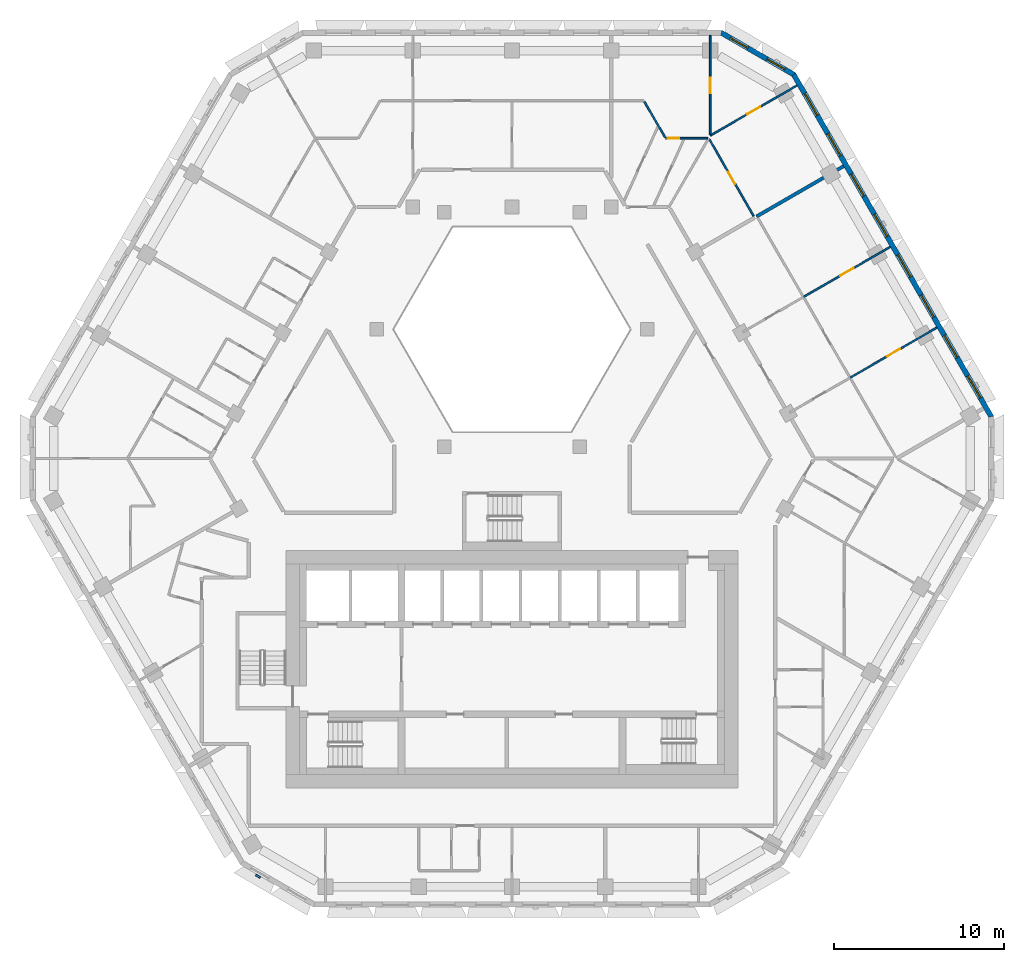
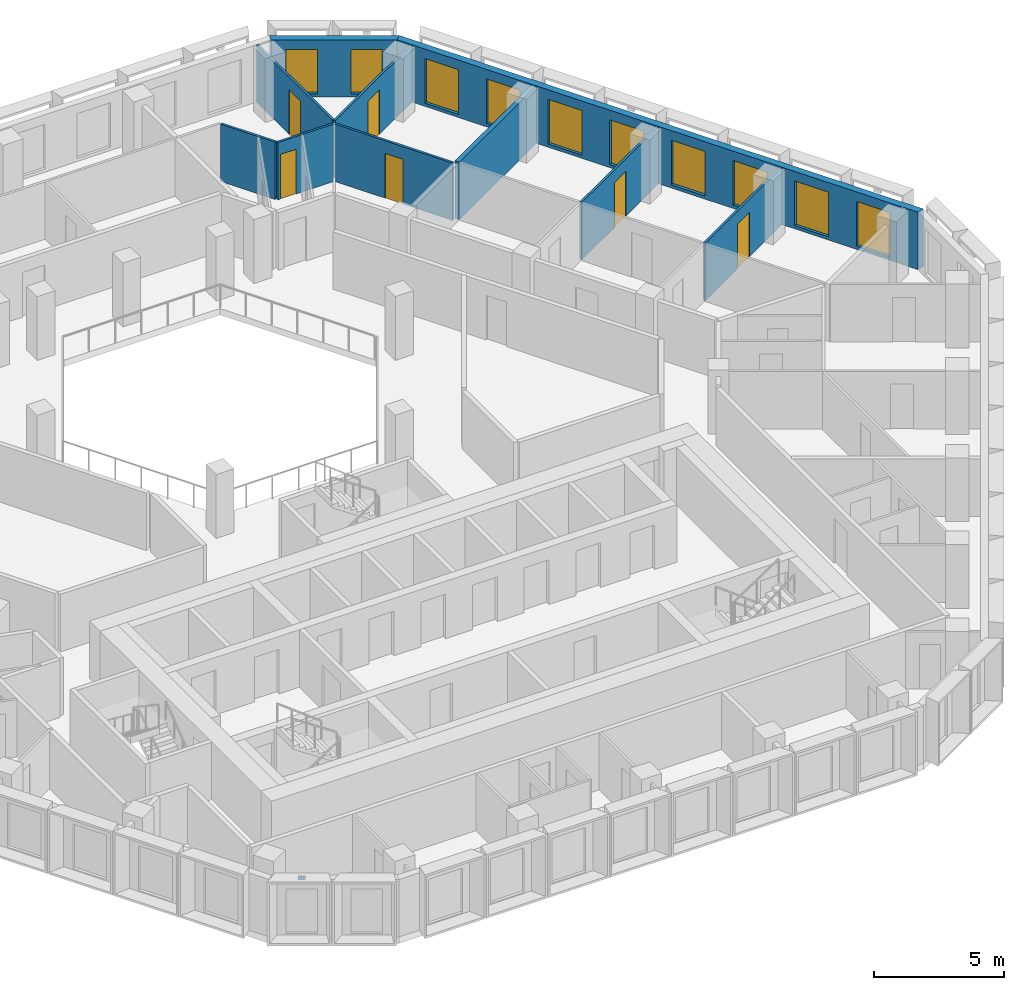
# One storey, part 9 of 17: 10 walls, 10 windows, 6 doors, 1 discrete accessory, 16 openings.
"""IFC4 building model written with IfcOpenShell, lengths in metres."""

from ifc_helpers import new_model, si_unit, direction, frame, frame_2d, origin, place, context, subcontext, project, spatial, polyline, rectangle, outline, extrude, source, transform, mapped, material, layer, layer_set, type_object, type_shapes, element, fill, save


model = new_model("IFC4")

# Units and contexts
model_context = context("Model", 3, precision=1e-05, world=origin(), true_north=direction((0.0, 1.0)))
body_context = subcontext(model_context, "Body", "Model", "MODEL_VIEW")
ifc_project = project(units=[si_unit("LENGTHUNIT", "METRE"), si_unit("AREAUNIT", "SQUARE_METRE"), si_unit("VOLUMEUNIT", "CUBIC_METRE"), si_unit("PLANEANGLEUNIT", "RADIAN"), si_unit("MASSUNIT", "GRAM", prefix="KILO")], contexts=[model_context])

# Site, building, storey
site_placement = place(None, origin())
site = spatial("IfcSite", under=ifc_project, at=site_placement, CompositionType="ELEMENT")
building_placement = place(site_placement, origin())
building = spatial("IfcBuilding", under=site, at=building_placement, Name="Beryl Residences", CompositionType="ELEMENT")
storey_placement = place(building_placement, frame((0.0, 0.0, 120.60009765625)))
storey = spatial("IfcBuildingStorey", under=building, at=storey_placement, Name="L36", CompositionType="ELEMENT", Elevation=120.60009765625)

# Wall, openings, windows
ifc_material_1 = material(Name="Composite metal panel with mineral wool insulation")
ifc_layer_1 = layer(ifc_material_1, 0.300048828125)
ifc_layer_set_1 = layer_set([ifc_layer_1], Name="ES1 pale metal composite panel wall 300 mm")
wall_type_1 = type_object("IfcWallType", Name="ES1 pale metal composite panel wall 300 mm", PredefinedType="SOLIDWALL", material=ifc_layer_set_1)
wall_1_placement = place(storey_placement, frame((28.218017578125, 2.824951171875, 0.0), z_axis=(0.0, 0.0, 1.0), x_axis=(-0.500020536353, 0.866013546791, 0.0)))
wall_1 = element("IfcWall", 1, at=wall_1_placement, inside=storey, type_object=wall_type_1, Name="ES1 external wall L36 NE", PredefinedType="SOLIDWALL", context=body_context, shape_type="SweptSolid", body=[
    extrude(outline(polyline([(0.0, -0.14990234375), (23.3251953125, -0.14990234375), (23.244873046875, 0.14990234375), (0.080322265625, 0.14990234375), (0.0, -0.14990234375)])), origin(), (0.0, 0.0, 1.0), 2.699951171875),
])
opening_1_placement = place(wall_1_placement, frame((1.31396484375, 0.0, 0.14990234375)))
opening_1 = element("IfcOpeningElement", 2, at=opening_1_placement, cuts=wall_1, Name="Opening W1", PredefinedType="OPENING", context=body_context, shape_type="SweptSolid", body=[
    extrude(rectangle(XDim=1.5, YDim=2.10009765625, at=frame_2d((0.75, 1.050048828125))), frame((0.0, 0.159912109375, 0.0), z_axis=(0.0, -1.0, 0.0), x_axis=(1.0, 0.0, 0.0)), (0.0, 0.0, 1.0), 0.320068359375),
])
opening_2_placement = place(wall_1_placement, frame((4.055908203125, 0.0, 0.14990234375)))
opening_2 = element("IfcOpeningElement", 3, at=opening_2_placement, cuts=wall_1, Name="Opening W1", PredefinedType="OPENING", context=body_context, shape_type="SweptSolid", body=[
    extrude(rectangle(XDim=1.5, YDim=2.10009765625, at=frame_2d((0.75, 1.050048828125))), frame((0.0, 0.159912109375, 0.0), z_axis=(0.0, -1.0, 0.0), x_axis=(1.0, 0.0, 0.0)), (0.0, 0.0, 1.0), 0.320068359375),
])
opening_3_placement = place(wall_1_placement, frame((6.798095703125, 0.0, 0.14990234375)))
opening_3 = element("IfcOpeningElement", 4, at=opening_3_placement, cuts=wall_1, Name="Opening W1", PredefinedType="OPENING", context=body_context, shape_type="SweptSolid", body=[
    extrude(rectangle(XDim=1.5, YDim=2.10009765625, at=frame_2d((0.75, 1.050048828125))), frame((0.0, 0.159912109375, 0.0), z_axis=(0.0, -1.0, 0.0), x_axis=(1.0, 0.0, 0.0)), (0.0, 0.0, 1.0), 0.320068359375),
])
opening_4_placement = place(wall_1_placement, frame((9.541015625, 0.0, 0.14990234375)))
opening_4 = element("IfcOpeningElement", 5, at=opening_4_placement, cuts=wall_1, Name="Opening W1", PredefinedType="OPENING", context=body_context, shape_type="SweptSolid", body=[
    extrude(rectangle(XDim=1.5, YDim=2.10009765625, at=frame_2d((0.75, 1.050048828125))), frame((0.0, 0.159912109375, 0.0), z_axis=(0.0, -1.0, 0.0), x_axis=(1.0, 0.0, 0.0)), (0.0, 0.0, 1.0), 0.320068359375),
])
opening_5_placement = place(wall_1_placement, frame((12.283935546875, 0.0, 0.14990234375)))
opening_5 = element("IfcOpeningElement", 6, at=opening_5_placement, cuts=wall_1, Name="Opening W1", PredefinedType="OPENING", context=body_context, shape_type="SweptSolid", body=[
    extrude(rectangle(XDim=1.5, YDim=2.10009765625, at=frame_2d((0.75, 1.050048828125))), frame((0.0, 0.159912109375, 0.0), z_axis=(0.0, -1.0, 0.0), x_axis=(1.0, 0.0, 0.0)), (0.0, 0.0, 1.0), 0.320068359375),
])
opening_6_placement = place(wall_1_placement, frame((15.027099609375, 0.0, 0.14990234375)))
opening_6 = element("IfcOpeningElement", 7, at=opening_6_placement, cuts=wall_1, Name="Opening W1", PredefinedType="OPENING", context=body_context, shape_type="SweptSolid", body=[
    extrude(rectangle(XDim=1.5, YDim=2.10009765625, at=frame_2d((0.75, 1.050048828125))), frame((0.0, 0.159912109375, 0.0), z_axis=(0.0, -1.0, 0.0), x_axis=(1.0, 0.0, 0.0)), (0.0, 0.0, 1.0), 0.320068359375),
])
opening_7_placement = place(wall_1_placement, frame((17.76904296875, 0.0, 0.14990234375)))
opening_7 = element("IfcOpeningElement", 8, at=opening_7_placement, cuts=wall_1, Name="Opening W1", PredefinedType="OPENING", context=body_context, shape_type="SweptSolid", body=[
    extrude(rectangle(XDim=1.5, YDim=2.10009765625, at=frame_2d((0.75, 1.050048828125))), frame((0.0, 0.159912109375, 0.0), z_axis=(0.0, -1.0, 0.0), x_axis=(1.0, 0.0, 0.0)), (0.0, 0.0, 1.0), 0.320068359375),
])
opening_8_placement = place(wall_1_placement, frame((20.510986328125, 0.0, 0.14990234375)))
opening_8 = element("IfcOpeningElement", 9, at=opening_8_placement, cuts=wall_1, Name="Opening W1", PredefinedType="OPENING", context=body_context, shape_type="SweptSolid", body=[
    extrude(rectangle(XDim=1.5, YDim=2.10009765625, at=frame_2d((0.75, 1.050048828125))), frame((0.0, 0.159912109375, 0.0), z_axis=(0.0, -1.0, 0.0), x_axis=(1.0, 0.0, 0.0)), (0.0, 0.0, 1.0), 0.320068359375),
])
ifc_material_2 = material(Name="Aluminium and clear glass", Category="aluminium")
window_type_1 = type_object("IfcWindowType", Name="W1 cell window 1500 x 2100 mm", PartitioningType="SINGLE_PANEL", PredefinedType="WINDOW", material=ifc_material_2)
window_1_placement = place(opening_1_placement, origin())
window_1 = element("IfcWindow", 10, at=window_1_placement, inside=storey, type_object=window_type_1, Name="W1 window L36 NE 1", OverallHeight=2.10009765625, OverallWidth=1.5, PartitioningType="SINGLE_PANEL", PredefinedType="WINDOW", context=body_context, shape_type="SweptSolid", body=[
    extrude(rectangle(XDim=1.5, YDim=2.10009765625, at=frame_2d((0.75, 1.050048828125))), frame((0.0, 0.030029296875, 0.0), z_axis=(0.0, -1.0, 0.0), x_axis=(1.0, 0.0, 0.0)), (0.0, 0.0, 1.0), 0.06005859375),
])
fill(opening_1, window_1)
window_2_placement = place(opening_2_placement, origin())
window_2 = element("IfcWindow", 11, at=window_2_placement, inside=storey, type_object=window_type_1, Name="W1 window L36 NE 2", OverallHeight=2.10009765625, OverallWidth=1.5, PartitioningType="SINGLE_PANEL", PredefinedType="WINDOW", context=body_context, shape_type="SweptSolid", body=[
    extrude(rectangle(XDim=1.5, YDim=2.10009765625, at=frame_2d((0.75, 1.050048828125))), frame((0.0, 0.030029296875, 0.0), z_axis=(0.0, -1.0, 0.0), x_axis=(1.0, 0.0, 0.0)), (0.0, 0.0, 1.0), 0.06005859375),
])
fill(opening_2, window_2)
window_3_placement = place(opening_3_placement, origin())
window_3 = element("IfcWindow", 12, at=window_3_placement, inside=storey, type_object=window_type_1, Name="W1 window L36 NE 3", OverallHeight=2.10009765625, OverallWidth=1.5, PartitioningType="SINGLE_PANEL", PredefinedType="WINDOW", context=body_context, shape_type="SweptSolid", body=[
    extrude(rectangle(XDim=1.5, YDim=2.10009765625, at=frame_2d((0.75, 1.050048828125))), frame((0.0, 0.030029296875, 0.0), z_axis=(0.0, -1.0, 0.0), x_axis=(1.0, 0.0, 0.0)), (0.0, 0.0, 1.0), 0.06005859375),
])
fill(opening_3, window_3)
window_4_placement = place(opening_4_placement, origin())
window_4 = element("IfcWindow", 13, at=window_4_placement, inside=storey, type_object=window_type_1, Name="W1 window L36 NE 4", OverallHeight=2.10009765625, OverallWidth=1.5, PartitioningType="SINGLE_PANEL", PredefinedType="WINDOW", context=body_context, shape_type="SweptSolid", body=[
    extrude(rectangle(XDim=1.5, YDim=2.10009765625, at=frame_2d((0.75, 1.050048828125))), frame((0.0, 0.030029296875, 0.0), z_axis=(0.0, -1.0, 0.0), x_axis=(1.0, 0.0, 0.0)), (0.0, 0.0, 1.0), 0.06005859375),
])
fill(opening_4, window_4)
window_5_placement = place(opening_5_placement, origin())
window_5 = element("IfcWindow", 14, at=window_5_placement, inside=storey, type_object=window_type_1, Name="W1 window L36 NE 5", OverallHeight=2.10009765625, OverallWidth=1.5, PartitioningType="SINGLE_PANEL", PredefinedType="WINDOW", context=body_context, shape_type="SweptSolid", body=[
    extrude(rectangle(XDim=1.5, YDim=2.10009765625, at=frame_2d((0.75, 1.050048828125))), frame((0.0, 0.030029296875, 0.0), z_axis=(0.0, -1.0, 0.0), x_axis=(1.0, 0.0, 0.0)), (0.0, 0.0, 1.0), 0.06005859375),
])
fill(opening_5, window_5)
window_6_placement = place(opening_6_placement, origin())
window_6 = element("IfcWindow", 15, at=window_6_placement, inside=storey, type_object=window_type_1, Name="W1 window L36 NE 6", OverallHeight=2.10009765625, OverallWidth=1.5, PartitioningType="SINGLE_PANEL", PredefinedType="WINDOW", context=body_context, shape_type="SweptSolid", body=[
    extrude(rectangle(XDim=1.5, YDim=2.10009765625, at=frame_2d((0.75, 1.050048828125))), frame((0.0, 0.030029296875, 0.0), z_axis=(0.0, -1.0, 0.0), x_axis=(1.0, 0.0, 0.0)), (0.0, 0.0, 1.0), 0.06005859375),
])
fill(opening_6, window_6)
window_7_placement = place(opening_7_placement, origin())
window_7 = element("IfcWindow", 16, at=window_7_placement, inside=storey, type_object=window_type_1, Name="W1 window L36 NE 7", OverallHeight=2.10009765625, OverallWidth=1.5, PartitioningType="SINGLE_PANEL", PredefinedType="WINDOW", context=body_context, shape_type="SweptSolid", body=[
    extrude(rectangle(XDim=1.5, YDim=2.10009765625, at=frame_2d((0.75, 1.050048828125))), frame((0.0, 0.030029296875, 0.0), z_axis=(0.0, -1.0, 0.0), x_axis=(1.0, 0.0, 0.0)), (0.0, 0.0, 1.0), 0.06005859375),
])
fill(opening_7, window_7)
window_8_placement = place(opening_8_placement, origin())
window_8 = element("IfcWindow", 17, at=window_8_placement, inside=storey, type_object=window_type_1, Name="W1 window L36 NE 8", OverallHeight=2.10009765625, OverallWidth=1.5, PartitioningType="SINGLE_PANEL", PredefinedType="WINDOW", context=body_context, shape_type="SweptSolid", body=[
    extrude(rectangle(XDim=1.5, YDim=2.10009765625, at=frame_2d((0.75, 1.050048828125))), frame((0.0, 0.030029296875, 0.0), z_axis=(0.0, -1.0, 0.0), x_axis=(1.0, 0.0, 0.0)), (0.0, 0.0, 1.0), 0.06005859375),
])
fill(opening_8, window_8)

wall_2_placement = place(storey_placement, frame((16.610107421875, 22.969970703125, 0.0), z_axis=(0.0, 0.0, 1.0), x_axis=(-0.866022959057, 0.500004234368, 0.0)))
wall_2 = element("IfcWall", 18, at=wall_2_placement, inside=storey, type_object=wall_type_1, Name="ES1 external wall L36 NE-N", PredefinedType="SOLIDWALL", context=body_context, shape_type="SweptSolid", body=[
    extrude(outline(polyline([(0.0, -0.14990234375), (5.0, -0.14990234375), (4.919677734375, 0.14990234375), (0.080322265625, 0.14990234375), (0.0, -0.14990234375)])), origin(), (0.0, 0.0, 1.0), 2.699951171875),
])
opening_9_placement = place(wall_2_placement, frame((0.64990234375, 0.0, 0.14990234375)))
opening_9 = element("IfcOpeningElement", 19, at=opening_9_placement, cuts=wall_2, Name="Opening W2", PredefinedType="OPENING", context=body_context, shape_type="SweptSolid", body=[
    extrude(rectangle(XDim=1.199951171875, YDim=2.10009765625, at=frame_2d((0.60009765625, 1.050048828125))), frame((0.0, 0.159912109375, 0.0), z_axis=(0.0, -1.0, 0.0), x_axis=(1.0, 0.0, 0.0)), (0.0, 0.0, 1.0), 0.320068359375),
])
opening_10_placement = place(wall_2_placement, frame((3.14990234375, 0.0, 0.14990234375)))
opening_10 = element("IfcOpeningElement", 20, at=opening_10_placement, cuts=wall_2, Name="Opening W2", PredefinedType="OPENING", context=body_context, shape_type="SweptSolid", body=[
    extrude(rectangle(XDim=1.199951171875, YDim=2.10009765625, at=frame_2d((0.60009765625, 1.050048828125))), frame((0.0, 0.159912109375, 0.0), z_axis=(0.0, -1.0, 0.0), x_axis=(1.0, 0.0, 0.0)), (0.0, 0.0, 1.0), 0.320068359375),
])
ifc_material_3 = material(Name="Aluminium and clear glass", Category="aluminium")
window_type_2 = type_object("IfcWindowType", Name="W2 chamfer window 1200 x 2100 mm", PartitioningType="SINGLE_PANEL", PredefinedType="WINDOW", material=ifc_material_3)
window_9_placement = place(opening_9_placement, origin())
window_9 = element("IfcWindow", 21, at=window_9_placement, inside=storey, type_object=window_type_2, Name="W2 window L36 NE-N 1", OverallHeight=2.10009765625, OverallWidth=1.199951171875, PartitioningType="SINGLE_PANEL", PredefinedType="WINDOW", context=body_context, shape_type="SweptSolid", body=[
    extrude(rectangle(XDim=1.199951171875, YDim=2.10009765625, at=frame_2d((0.60009765625, 1.050048828125))), frame((0.0, 0.030029296875, 0.0), z_axis=(0.0, -1.0, 0.0), x_axis=(1.0, 0.0, 0.0)), (0.0, 0.0, 1.0), 0.06005859375),
])
fill(opening_9, window_9)
window_10_placement = place(opening_10_placement, origin())
window_10 = element("IfcWindow", 22, at=window_10_placement, inside=storey, type_object=window_type_2, Name="W2 window L36 NE-N 2", OverallHeight=2.10009765625, OverallWidth=1.199951171875, PartitioningType="SINGLE_PANEL", PredefinedType="WINDOW", context=body_context, shape_type="SweptSolid", body=[
    extrude(rectangle(XDim=1.199951171875, YDim=2.10009765625, at=frame_2d((0.60009765625, 1.050048828125))), frame((0.0, 0.030029296875, 0.0), z_axis=(0.0, -1.0, 0.0), x_axis=(1.0, 0.0, 0.0)), (0.0, 0.0, 1.0), 0.06005859375),
])
fill(opening_10, window_10)

# Wall
ifc_material_4 = material(Name="Gypsum board partition on steel studs", Category="steel")
ifc_layer_2 = layer(ifc_material_4, 0.10009765625)
ifc_layer_set_2 = layer_set([ifc_layer_2], Name="PT1 partition 100 mm gypsum board on steel studs")
wall_type_2 = type_object("IfcWallType", Name="PT1 partition 100 mm gypsum board on steel studs", PredefinedType="PARTITIONING", material=ifc_layer_set_2)
wall_3_placement = place(storey_placement, frame((7.7919921875, 21.39599609375, 0.0), z_axis=(0.0, 0.0, 1.0), x_axis=(0.499821239653, -0.866128586522, 0.0)))
element("IfcWall", 23, at=wall_3_placement, inside=storey, type_object=wall_type_2, Name="Wall PT1 L36 003", PredefinedType="PARTITIONING", context=body_context, shape_type="SweptSolid", body=[
    extrude(rectangle(XDim=2.4248046875, YDim=0.10009765625, at=frame_2d((1.21240234375, 0.0))), origin(), (0.0, 0.0, 1.0), 2.699951171875),
])

# Wall, opening, door
wall_4_placement = place(storey_placement, frame((11.60302734375, 19.196044921875, 0.0), z_axis=(0.0, 0.0, 1.0), x_axis=(0.499913406181, -0.866075392977, 0.0)))
wall_4 = element("IfcWall", 24, at=wall_4_placement, inside=storey, type_object=wall_type_2, Name="Wall PT1 L36 004", PredefinedType="PARTITIONING", context=body_context, shape_type="SweptSolid", body=[
    extrude(rectangle(XDim=5.23876953125, YDim=0.10009765625, at=frame_2d((2.619384765625, 0.0))), origin(), (0.0, 0.0, 1.0), 2.699951171875),
])
opening_11_placement = place(wall_4_placement, frame((2.239990234375, 0.0, 0.0)))
opening_11 = element("IfcOpeningElement", 25, at=opening_11_placement, cuts=wall_4, Name="Opening D1007", PredefinedType="OPENING", context=body_context, shape_type="SweptSolid", body=[
    extrude(rectangle(XDim=0.800048828125, YDim=2.10009765625, at=frame_2d((0.39990234375, 1.050048828125))), frame((0.0, 0.06005859375, 0.0), z_axis=(0.0, -1.0, 0.0), x_axis=(1.0, 0.0, 0.0)), (0.0, 0.0, 1.0), 0.1201171875),
])
ifc_material_5 = material(Name="Timber door leaf", Category="wood")
door_type_1 = type_object("IfcDoorType", Name="D3 bathroom door 800 x 2100 mm", OperationType="SINGLE_SWING_LEFT", PredefinedType="DOOR", material=ifc_material_5)
door_1_placement = place(opening_11_placement, origin())
door_1 = element("IfcDoor", 26, at=door_1_placement, inside=storey, type_object=door_type_1, Name="Door D1007 L36 001", OperationType="SINGLE_SWING_LEFT", OverallHeight=2.10009765625, OverallWidth=0.800048828125, PredefinedType="DOOR", context=body_context, shape_type="SweptSolid", body=[
    extrude(rectangle(XDim=0.800048828125, YDim=2.10009765625, at=frame_2d((0.39990234375, 1.050048828125))), frame((0.0, 0.02490234375, 0.0), z_axis=(0.0, -1.0, 0.0), x_axis=(1.0, 0.0, 0.0)), (0.0, 0.0, 1.0), 0.050048828125),
])
fill(opening_11, door_1)

wall_5_placement = place(storey_placement, frame((9.032958984375, 19.24609375, 0.0), z_axis=(0.0, 0.0, 1.0), x_axis=(1.0, 0.0, 0.0)))
wall_5 = element("IfcWall", 27, at=wall_5_placement, inside=storey, type_object=wall_type_2, Name="Wall PT1 L36 028", PredefinedType="PARTITIONING", context=body_context, shape_type="SweptSolid", body=[
    extrude(rectangle(XDim=2.483154296875, YDim=0.10009765625, at=frame_2d((1.24169921875, 0.0))), origin(), (0.0, 0.0, 1.0), 2.699951171875),
])
opening_12_placement = place(wall_5_placement, frame((0.116943359375, 0.0, 0.0)))
opening_12 = element("IfcOpeningElement", 28, at=opening_12_placement, cuts=wall_5, Name="Opening D1004", PredefinedType="OPENING", context=body_context, shape_type="SweptSolid", body=[
    extrude(rectangle(XDim=0.699951171875, YDim=2.10009765625, at=frame_2d((0.35009765625, 1.050048828125))), frame((0.0, 0.06005859375, 0.0), z_axis=(0.0, -1.0, 0.0), x_axis=(1.0, 0.0, 0.0)), (0.0, 0.0, 1.0), 0.1201171875),
])
ifc_material_6 = material(Name="Timber door leaf", Category="wood")
door_type_2 = type_object("IfcDoorType", Name="D14 room door 700 x 2100 mm", OperationType="SINGLE_SWING_LEFT", PredefinedType="DOOR", material=ifc_material_6)
door_2_placement = place(opening_12_placement, origin())
door_2 = element("IfcDoor", 29, at=door_2_placement, inside=storey, type_object=door_type_2, Name="Door D1004 L36 001", OperationType="SINGLE_SWING_RIGHT", OverallHeight=2.10009765625, OverallWidth=0.699951171875, PredefinedType="DOOR", context=body_context, shape_type="SweptSolid", body=[
    extrude(rectangle(XDim=0.699951171875, YDim=2.10009765625, at=frame_2d((0.35009765625, 1.050048828125))), frame((0.0, 0.02490234375, 0.0), z_axis=(0.0, -1.0, 0.0), x_axis=(1.0, 0.0, 0.0)), (0.0, 0.0, 1.0), 0.050048828125),
])
fill(opening_12, door_2)

wall_6_placement = place(storey_placement, frame((11.662109375, 19.4560546875, 0.0), z_axis=(0.0, 0.0, 1.0), x_axis=(0.0, 1.0, 0.0)))
wall_6 = element("IfcWall", 30, at=wall_6_placement, inside=storey, type_object=wall_type_2, Name="Wall PT1 L36 041", PredefinedType="PARTITIONING", context=body_context, shape_type="SweptSolid", body=[
    extrude(rectangle(XDim=5.843994140625, YDim=0.10009765625, at=frame_2d((2.921875, 0.0))), origin(), (0.0, 0.0, 1.0), 2.699951171875),
])
opening_13_placement = place(wall_6_placement, frame((2.443115234375, 0.0, 0.0)))
opening_13 = element("IfcOpeningElement", 31, at=opening_13_placement, cuts=wall_6, Name="Opening D1005", PredefinedType="OPENING", context=body_context, shape_type="SweptSolid", body=[
    extrude(rectangle(XDim=0.89990234375, YDim=2.10009765625, at=frame_2d((0.449951171875, 1.050048828125))), frame((0.0, 0.06005859375, 0.0), z_axis=(0.0, -1.0, 0.0), x_axis=(1.0, 0.0, 0.0)), (0.0, 0.0, 1.0), 0.1201171875),
])
ifc_material_7 = material(Name="Timber door leaf", Category="wood")
door_type_3 = type_object("IfcDoorType", Name="D2 room door 900 x 2100 mm", OperationType="SINGLE_SWING_LEFT", PredefinedType="DOOR", material=ifc_material_7)
door_3_placement = place(opening_13_placement, origin())
door_3 = element("IfcDoor", 32, at=door_3_placement, inside=storey, type_object=door_type_3, Name="Door D1005 L36 001", OperationType="SINGLE_SWING_LEFT", OverallHeight=2.10009765625, OverallWidth=0.89990234375, PredefinedType="DOOR", context=body_context, shape_type="SweptSolid", body=[
    extrude(rectangle(XDim=0.89990234375, YDim=2.10009765625, at=frame_2d((0.449951171875, 1.050048828125))), frame((0.0, 0.02490234375, 0.0), z_axis=(0.0, -1.0, 0.0), x_axis=(1.0, 0.0, 0.0)), (0.0, 0.0, 1.0), 0.050048828125),
])
fill(opening_13, door_3)

wall_7_placement = place(storey_placement, frame((11.6630859375, 19.39990234375, 0.0), z_axis=(0.0, 0.0, 1.0), x_axis=(0.865941558533, 0.500145196124, 0.0)))
wall_7 = element("IfcWall", 33, at=wall_7_placement, inside=storey, type_object=wall_type_2, Name="Wall PT1 L36 053", PredefinedType="PARTITIONING", context=body_context, shape_type="SweptSolid", body=[
    extrude(rectangle(XDim=5.898681640625, YDim=0.10009765625, at=frame_2d((2.94921875, 0.0))), origin(), (0.0, 0.0, 1.0), 2.699951171875),
])
opening_14_placement = place(wall_7_placement, frame((2.4990234375, 0.0, 0.0)))
opening_14 = element("IfcOpeningElement", 34, at=opening_14_placement, cuts=wall_7, Name="Opening D1006", PredefinedType="OPENING", context=body_context, shape_type="SweptSolid", body=[
    extrude(rectangle(XDim=0.89990234375, YDim=2.10009765625, at=frame_2d((0.449951171875, 1.050048828125))), frame((0.0, 0.06005859375, 0.0), z_axis=(0.0, -1.0, 0.0), x_axis=(1.0, 0.0, 0.0)), (0.0, 0.0, 1.0), 0.1201171875),
])
door_4_placement = place(opening_14_placement, origin())
door_4 = element("IfcDoor", 35, at=door_4_placement, inside=storey, type_object=door_type_3, Name="Door D1006 L36 001", OperationType="SINGLE_SWING_RIGHT", OverallHeight=2.10009765625, OverallWidth=0.89990234375, PredefinedType="DOOR", context=body_context, shape_type="SweptSolid", body=[
    extrude(rectangle(XDim=0.89990234375, YDim=2.10009765625, at=frame_2d((0.449951171875, 1.050048828125))), frame((0.0, 0.02490234375, 0.0), z_axis=(0.0, -1.0, 0.0), x_axis=(1.0, 0.0, 0.0)), (0.0, 0.0, 1.0), 0.050048828125),
])
fill(opening_14, door_4)

wall_8_placement = place(storey_placement, frame((19.889892578125, 5.14990234375, 0.0), z_axis=(0.0, 0.0, 1.0), x_axis=(0.865993310977, 0.500055582255, 0.0)))
wall_8 = element("IfcWall", 36, at=wall_8_placement, inside=storey, type_object=wall_type_2, Name="Wall PT1 L36 054", PredefinedType="PARTITIONING", context=body_context, shape_type="SweptSolid", body=[
    extrude(rectangle(XDim=5.899658203125, YDim=0.10009765625, at=frame_2d((2.94970703125, 0.0))), origin(), (0.0, 0.0, 1.0), 2.699951171875),
])
opening_15_placement = place(wall_8_placement, frame((2.5, 0.0, 0.0)))
opening_15 = element("IfcOpeningElement", 37, at=opening_15_placement, cuts=wall_8, Name="Opening D1053", PredefinedType="OPENING", context=body_context, shape_type="SweptSolid", body=[
    extrude(rectangle(XDim=0.89990234375, YDim=2.10009765625, at=frame_2d((0.449951171875, 1.050048828125))), frame((0.0, 0.06005859375, 0.0), z_axis=(0.0, -1.0, 0.0), x_axis=(1.0, 0.0, 0.0)), (0.0, 0.0, 1.0), 0.1201171875),
])
door_5_placement = place(opening_15_placement, origin())
door_5 = element("IfcDoor", 38, at=door_5_placement, inside=storey, type_object=door_type_3, Name="Door D1053 L36 001", OperationType="SINGLE_SWING_LEFT", OverallHeight=2.10009765625, OverallWidth=0.89990234375, PredefinedType="DOOR", context=body_context, shape_type="SweptSolid", body=[
    extrude(rectangle(XDim=0.89990234375, YDim=2.10009765625, at=frame_2d((0.449951171875, 1.050048828125))), frame((0.0, 0.02490234375, 0.0), z_axis=(0.0, -1.0, 0.0), x_axis=(1.0, 0.0, 0.0)), (0.0, 0.0, 1.0), 0.050048828125),
])
fill(opening_15, door_5)

wall_9_placement = place(storey_placement, frame((17.14697265625, 9.89990234375, 0.0), z_axis=(0.0, 0.0, 1.0), x_axis=(0.866034692906, 0.499983910424, 0.0)))
wall_9 = element("IfcWall", 39, at=wall_9_placement, inside=storey, type_object=wall_type_2, Name="Wall PT1 L36 055", PredefinedType="PARTITIONING", context=body_context, shape_type="SweptSolid", body=[
    extrude(rectangle(XDim=5.900634765625, YDim=0.10009765625, at=frame_2d((2.9501953125, 0.0))), origin(), (0.0, 0.0, 1.0), 2.699951171875),
])
opening_16_placement = place(wall_9_placement, frame((2.5, 0.0, 0.0)))
opening_16 = element("IfcOpeningElement", 40, at=opening_16_placement, cuts=wall_9, Name="Opening D1054", PredefinedType="OPENING", context=body_context, shape_type="SweptSolid", body=[
    extrude(rectangle(XDim=0.89990234375, YDim=2.10009765625, at=frame_2d((0.449951171875, 1.050048828125))), frame((0.0, 0.06005859375, 0.0), z_axis=(0.0, -1.0, 0.0), x_axis=(1.0, 0.0, 0.0)), (0.0, 0.0, 1.0), 0.1201171875),
])
door_6_placement = place(opening_16_placement, origin())
door_6 = element("IfcDoor", 41, at=door_6_placement, inside=storey, type_object=door_type_3, Name="Door D1054 L36 001", OperationType="SINGLE_SWING_RIGHT", OverallHeight=2.10009765625, OverallWidth=0.89990234375, PredefinedType="DOOR", context=body_context, shape_type="SweptSolid", body=[
    extrude(rectangle(XDim=0.89990234375, YDim=2.10009765625, at=frame_2d((0.449951171875, 1.050048828125))), frame((0.0, 0.02490234375, 0.0), z_axis=(0.0, -1.0, 0.0), x_axis=(1.0, 0.0, 0.0)), (0.0, 0.0, 1.0), 0.050048828125),
])
fill(opening_16, door_6)

# Wall
ifc_material_8 = material(Name="Acoustic double stud gypsum board wall")
ifc_layer_3 = layer(ifc_material_8, 0.199951171875)
ifc_layer_set_3 = layer_set([ifc_layer_3], Name="PT3 party wall 200 mm acoustic double stud")
wall_type_3 = type_object("IfcWallType", Name="PT3 party wall 200 mm acoustic double stud", PredefinedType="PARTITIONING", material=ifc_layer_set_3)
wall_10_placement = place(storey_placement, frame((14.387939453125, 14.639892578125, 0.0), z_axis=(0.0, 0.0, 1.0), x_axis=(0.866044090212, 0.499967632761, 0.0)))
element("IfcWall", 42, at=wall_10_placement, inside=storey, type_object=wall_type_3, Name="Wall PT3 L36 012", PredefinedType="PARTITIONING", context=body_context, shape_type="SweptSolid", body=[
    extrude(rectangle(XDim=5.9189453125, YDim=0.199951171875, at=frame_2d((2.95947265625, 0.0))), origin(), (0.0, 0.0, 1.0), 2.699951171875),
])

# Discrete accessory
ifc_material_9 = material(Name="Steel S355", Category="steel")
discrete_accessory_type = type_object("IfcDiscreteAccessoryType", Name="BR1 frame bracket 300 x 120 x 150 mm", PredefinedType="BRACKET", material=ifc_material_9)
shared_shape = source(origin(), body_context, "Body", "SweptSolid", [
    extrude(outline(polyline([(-0.14990234375, 0.0), (0.14990234375, 0.0), (0.14990234375, 0.1201171875), (-0.14990234375, 0.1201171875), (-0.14990234375, 0.0)])), origin(), (0.0, 0.0, 1.0), 0.14990234375),
])
type_shapes(discrete_accessory_type, [shared_shape])
discrete_accessory_placement = place(storey_placement, frame((-14.909912109375, -24.125, 2.75), z_axis=(0.0, 0.0, 1.0), x_axis=(-0.866025403784, 0.5, 0.0)))
element("IfcDiscreteAccessory", 43, at=discrete_accessory_placement, inside=storey, type_object=discrete_accessory_type, Name="BR1 bracket L36 SW-S 1", PredefinedType="BRACKET", context=body_context, shape_type="MappedRepresentation", body=[
    mapped(shared_shape, transform((0.0, 0.0, 0.0))),
])

save(model, "model.ifc")
